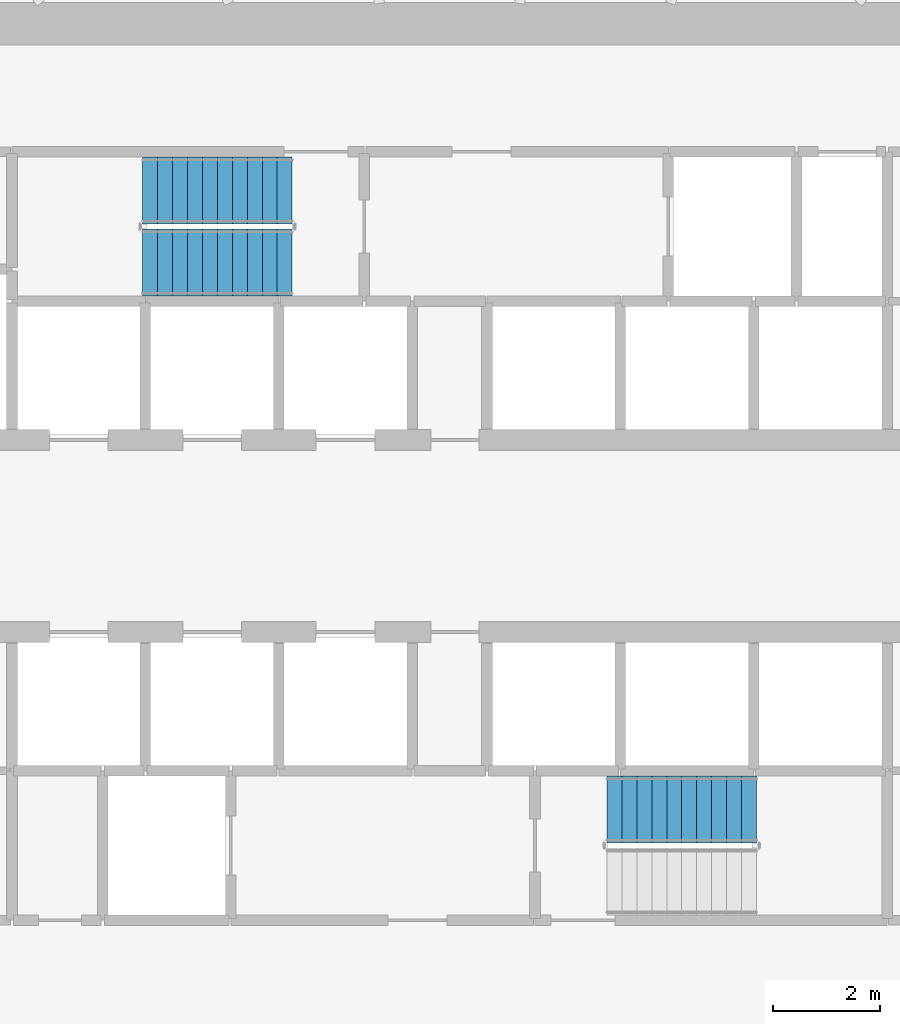
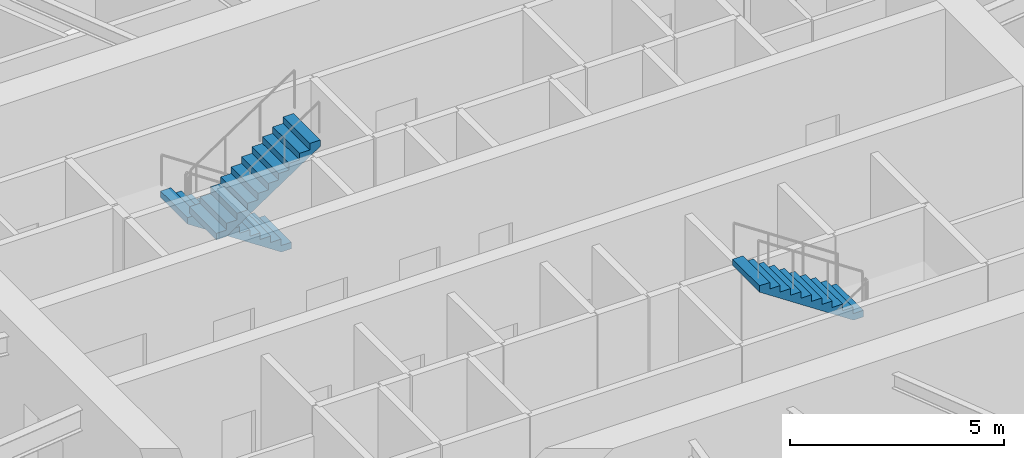
# One storey, part 14 of 17: 3 stair flights, 2 elements without a shape of their own.
"""IFC4 building model written with IfcOpenShell, lengths in metres."""

from ifc_helpers import new_model, si_unit, direction, frame, origin, place, context, subcontext, project, spatial, line, indexed_curve, outline, extrude, material, type_object, element, aggregate, save


model = new_model("IFC4")

# Units and contexts
model_context = context("Model", 3, precision=1e-05, world=origin(), true_north=direction((0.0, 1.0)))
body_context = subcontext(model_context, "Body", "Model", "MODEL_VIEW")
ifc_project = project(units=[si_unit("LENGTHUNIT", "METRE"), si_unit("AREAUNIT", "SQUARE_METRE"), si_unit("VOLUMEUNIT", "CUBIC_METRE"), si_unit("PLANEANGLEUNIT", "RADIAN"), si_unit("MASSUNIT", "GRAM", prefix="KILO")], contexts=[model_context])

# Site, building, storey
site_placement = place(None, origin())
site = spatial("IfcSite", under=ifc_project, at=site_placement, CompositionType="ELEMENT")
building_placement = place(site_placement, origin())
building = spatial("IfcBuilding", under=site, at=building_placement, Name="Spindrift Exchange Tower", CompositionType="ELEMENT")
storey_placement = place(building_placement, frame((0.0, 0.0, 124.89990234375)))
storey = spatial("IfcBuildingStorey", under=building, at=storey_placement, Name="L29", CompositionType="ELEMENT", Elevation=124.89990234375)

# Stair, stair flights
ifc_material = material(Name="Concrete 50 MPa", Category="concrete")
stair_type = type_object("IfcStairType", Name="ST-1250-R186", PredefinedType="HALF_TURN_STAIR", material=ifc_material)
stair_1_placement = place(storey_placement, origin())
stair_1 = element("IfcStair", 1, at=stair_1_placement, inside=storey, type_object=stair_type, Name="L29 Exit stair ST1", PredefinedType="HALF_TURN_STAIR")
stair_flight_type = type_object("IfcStairFlightType", Name="STF-1250-R186", PredefinedType="STRAIGHT", material=ifc_material)
stair_flight_1_placement = place(storey_placement, frame((49.050048828125, 54.47509765625, 0.0), z_axis=(0.0, 0.0, 1.0), x_axis=(-1.0, 0.0, 0.0)))
stair_flight_1 = element("IfcStairFlight", 2, at=stair_flight_1_placement, type_object=stair_flight_type, Name="ST1 flight 1", NumberOfRisers=11, NumberOfTreads=10, PredefinedType="STRAIGHT", RiserHeight=0.186363636, TreadLength=0.28, context=body_context, shape_type="SweptSolid", body=[
    extrude(outline(indexed_curve([(0.0, 0.0), (0.0, 0.1865234375), (0.2802734375, 0.1865234375), (0.2802734375, 0.373046875), (0.5595703125, 0.373046875), (0.5595703125, 0.5595703125), (0.83984375, 0.5595703125), (0.83984375, 0.7451171875), (1.1201171875, 0.7451171875), (1.1201171875, 0.931640625), (1.400390625, 0.931640625), (1.400390625, 1.1181640625), (1.6796875, 1.1181640625), (1.6796875, 1.3046875), (1.9599609375, 1.3046875), (1.9599609375, 1.4912109375), (2.240234375, 1.4912109375), (2.240234375, 1.677734375), (2.51953125, 1.677734375), (2.51953125, 1.86328125), (2.7998046875, 1.86328125), (2.7998046875, 2.0498046875), (2.7998046875, 1.68359375), (0.2705078125, 0.0)], segments=[line(1, 2, 3, 4, 5, 6, 7, 8, 9, 10, 11, 12, 13, 14, 15, 16, 17, 18, 19, 20, 21, 22, 23, 24, 1)], self_intersect=False)), frame((0.0, 0.625, 0.0), z_axis=(0.0, -1.0, 0.0), x_axis=(1.0, 0.0, 0.0)), (0.0, 0.0, 1.0), 1.25),
])
stair_flight_2_placement = place(storey_placement, frame((46.25, 53.125, 2.050048828125), z_axis=(0.0, 0.0, 1.0), x_axis=(1.0, 0.0, 0.0)))
stair_flight_2 = element("IfcStairFlight", 3, at=stair_flight_2_placement, type_object=stair_flight_type, Name="ST1 flight 2", NumberOfRisers=11, NumberOfTreads=10, PredefinedType="STRAIGHT", RiserHeight=0.186363636, TreadLength=0.28, context=body_context, shape_type="SweptSolid", body=[
    extrude(outline(indexed_curve([(0.0, 0.0), (0.0, 0.1865234375), (0.2802734375, 0.1865234375), (0.2802734375, 0.373046875), (0.5595703125, 0.373046875), (0.5595703125, 0.5595703125), (0.83984375, 0.5595703125), (0.83984375, 0.7451171875), (1.1201171875, 0.7451171875), (1.1201171875, 0.931640625), (1.400390625, 0.931640625), (1.400390625, 1.1181640625), (1.6796875, 1.1181640625), (1.6796875, 1.3046875), (1.9599609375, 1.3046875), (1.9599609375, 1.4912109375), (2.240234375, 1.4912109375), (2.240234375, 1.677734375), (2.51953125, 1.677734375), (2.51953125, 1.86328125), (2.7998046875, 1.86328125), (2.7998046875, 2.0498046875), (2.7998046875, 1.68359375), (0.2705078125, 0.0)], segments=[line(1, 2, 3, 4, 5, 6, 7, 8, 9, 10, 11, 12, 13, 14, 15, 16, 17, 18, 19, 20, 21, 22, 23, 24, 1)], self_intersect=False)), frame((0.0, 0.625, 0.0), z_axis=(0.0, -1.0, 0.0), x_axis=(1.0, 0.0, 0.0)), (0.0, 0.0, 1.0), 1.25),
])
aggregate(stair_1, [stair_flight_1, stair_flight_2])

# Stair, stair flight
stair_2_placement = place(storey_placement, origin())
stair_2 = element("IfcStair", 4, at=stair_2_placement, inside=storey, type_object=stair_type, Name="L29 Exit stair ST2", PredefinedType="HALF_TURN_STAIR")
stair_flight_3_placement = place(storey_placement, frame((57.75, 42.875, 2.050048828125), z_axis=(0.0, 0.0, 1.0), x_axis=(-1.0, 0.0, 0.0)))
stair_flight_3 = element("IfcStairFlight", 5, at=stair_flight_3_placement, type_object=stair_flight_type, Name="ST2 flight 2", NumberOfRisers=11, NumberOfTreads=10, PredefinedType="STRAIGHT", RiserHeight=0.186363636, TreadLength=0.28, context=body_context, shape_type="SweptSolid", body=[
    extrude(outline(indexed_curve([(0.0, 0.0), (0.0, 0.1865234375), (0.2802734375, 0.1865234375), (0.2802734375, 0.373046875), (0.5595703125, 0.373046875), (0.5595703125, 0.5595703125), (0.83984375, 0.5595703125), (0.83984375, 0.7451171875), (1.1201171875, 0.7451171875), (1.1201171875, 0.931640625), (1.400390625, 0.931640625), (1.400390625, 1.1181640625), (1.6796875, 1.1181640625), (1.6796875, 1.3046875), (1.9599609375, 1.3046875), (1.9599609375, 1.4912109375), (2.240234375, 1.4912109375), (2.240234375, 1.677734375), (2.51953125, 1.677734375), (2.51953125, 1.86328125), (2.7998046875, 1.86328125), (2.7998046875, 2.0498046875), (2.7998046875, 1.68359375), (0.2705078125, 0.0)], segments=[line(1, 2, 3, 4, 5, 6, 7, 8, 9, 10, 11, 12, 13, 14, 15, 16, 17, 18, 19, 20, 21, 22, 23, 24, 1)], self_intersect=False)), frame((0.0, 0.625, 0.0), z_axis=(0.0, -1.0, 0.0), x_axis=(1.0, 0.0, 0.0)), (0.0, 0.0, 1.0), 1.25),
])
aggregate(stair_2, [stair_flight_3])

save(model, "model.ifc")
